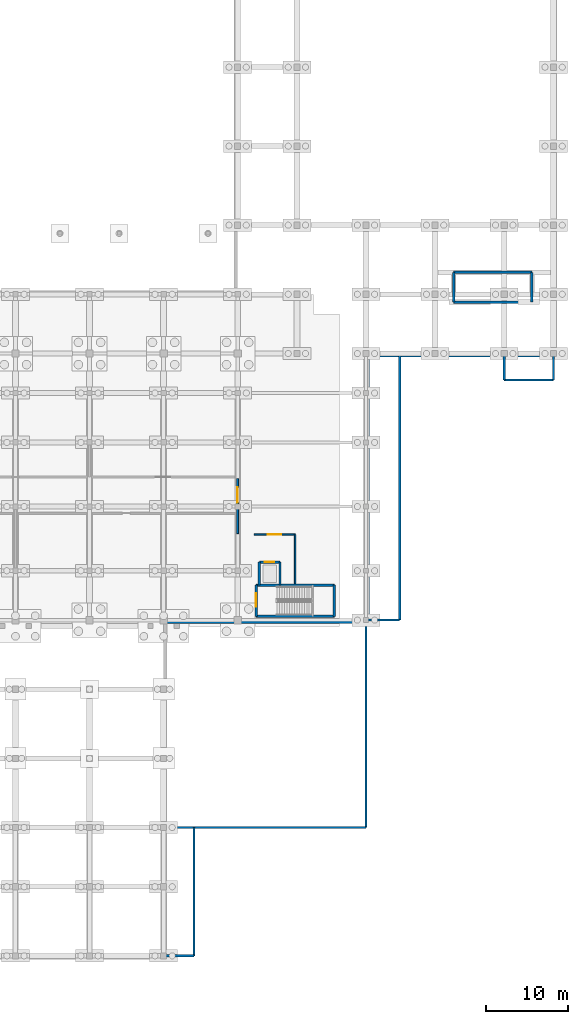
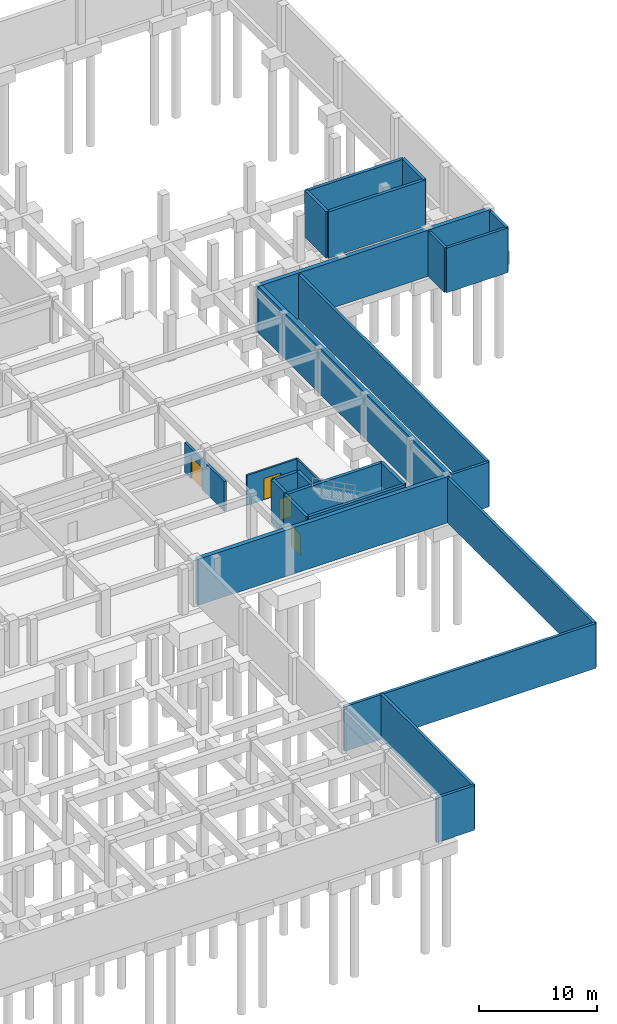
# One storey, part 20 of 26: 26 walls, 4 doors, 4 openings.
"""IFC4 building model written with IfcOpenShell, lengths in metres."""

from ifc_helpers import new_model, si_unit, direction, frame, frame_2d, origin, place, context, subcontext, project, spatial, rectangle, extrude, material, layer, layer_set, type_object, element, fill, save


model = new_model("IFC4")

# Units and contexts
model_context = context("Model", 3, precision=1e-05, world=origin(), true_north=direction((0.0, 1.0)))
body_context = subcontext(model_context, "Body", "Model", "MODEL_VIEW")
ifc_project = project(units=[si_unit("LENGTHUNIT", "METRE"), si_unit("AREAUNIT", "SQUARE_METRE"), si_unit("VOLUMEUNIT", "CUBIC_METRE"), si_unit("PLANEANGLEUNIT", "RADIAN"), si_unit("MASSUNIT", "GRAM", prefix="KILO")], contexts=[model_context])

# Site, building, storey
site_placement = place(None, origin())
site = spatial("IfcSite", under=ifc_project, at=site_placement, CompositionType="ELEMENT")
building_placement = place(site_placement, origin())
building = spatial("IfcBuilding", under=site, at=building_placement, Name="Tizgana Railside Sports Hall", CompositionType="ELEMENT")
storey_placement = place(building_placement, frame((0.0, 0.0, -4.800048828125)))
storey = spatial("IfcBuildingStorey", under=building, at=storey_placement, Name="B1", CompositionType="ELEMENT", Elevation=-4.800048828125)

# Walls
ifc_material_1 = material(Name="Concrete C35/45", Category="concrete")
ifc_layer_1 = layer(ifc_material_1, 0.419921875, Name="Concrete C35/45")
ifc_layer_set_1 = layer_set([ifc_layer_1], Name="Concrete C35/45")
wall_type_1 = type_object("IfcWallType", Name="Basement Retaining Wall 420", PredefinedType="USERDEFINED", material=ifc_layer_set_1)
wall_1_placement = place(storey_placement, frame((124.800048828125, 40.580078125, 0.0), z_axis=(0.0, 0.0, 1.0), x_axis=(1.0, 0.0, 0.0)))
element("IfcWall", 1, at=wall_1_placement, inside=storey, type_object=wall_type_1, Name="B1 Retaining Wall WAL-0003", ObjectType="RETAINING", PredefinedType="USERDEFINED", context=body_context, shape_type="SweptSolid", body=[
    extrude(rectangle(XDim=24.64501953125, YDim=0.419921875, at=frame_2d((12.322509765625, 0.0))), origin(), (0.0, 0.0, 1.0), 4.780029296875),
])
wall_2_placement = place(storey_placement, frame((149.6201171875, 40.800048828125, 0.0), z_axis=(0.0, 0.0, 1.0), x_axis=(0.0, 1.0, 0.0)))
element("IfcWall", 2, at=wall_2_placement, inside=storey, type_object=wall_type_1, Name="B1 Retaining Wall WAL-0004", ObjectType="RETAINING", PredefinedType="USERDEFINED", context=body_context, shape_type="SweptSolid", body=[
    extrude(rectangle(XDim=32.39990234375, YDim=0.419921875, at=frame_2d((16.199951171875, 0.0))), origin(), (0.0, 0.0, 1.0), 4.780029296875),
])
wall_3_placement = place(storey_placement, frame((149.39990234375, 72.97998046875, 0.0), z_axis=(0.0, 0.0, 1.0), x_axis=(1.0, 0.0, 0.0)))
element("IfcWall", 3, at=wall_3_placement, inside=storey, type_object=wall_type_1, Name="B1 Retaining Wall WAL-0005", ObjectType="RETAINING", PredefinedType="USERDEFINED", context=body_context, shape_type="SweptSolid", body=[
    extrude(rectangle(XDim=22.800048828125, YDim=0.419921875, at=frame_2d((11.39990234375, 0.0))), origin(), (0.0, 0.0, 1.0), 4.780029296875),
])
ifc_material_2 = material(Name="Concrete C40/50", Category="concrete")
ifc_layer_2 = layer(ifc_material_2, 0.300048828125, Name="Concrete C40/50")
ifc_layer_set_2 = layer_set([ifc_layer_2], Name="Concrete C40/50")
wall_type_2 = type_object("IfcWallType", Name="Core Shear Wall 300", PredefinedType="SHEAR", material=ifc_layer_set_2)
for number, where, z_axis, x_axis, name in (
    (4, (145.550048828125, 41.25, 0.0), (0.0, 0.0, 1.0), (-1.0, 0.0, 0.0), "B1 C5 Shaft Wall S"),
    (5, (136.050048828125, 45.050048828125, 0.0), (0.0, 0.0, 1.0), (1.0, 0.0, 0.0), "B1 C5 Shaft Wall N"),
):
    element("IfcWall", number, at=place(storey_placement, frame(where, z_axis=z_axis, x_axis=x_axis)), inside=storey, type_object=wall_type_2, Name=name, PredefinedType="SHEAR", context=body_context, shape_type="SweptSolid", body=[
        extrude(rectangle(XDim=9.5, YDim=0.300048828125, at=frame_2d((4.75, 0.0))), origin(), (0.0, 0.0, 1.0), 4.800048828125),
    ])

# Wall, opening, door
wall_4_placement = place(storey_placement, frame((136.050048828125, 41.25, 0.0), z_axis=(0.0, 0.0, 1.0), x_axis=(0.0, 1.0, 0.0)))
wall_4 = element("IfcWall", 6, at=wall_4_placement, inside=storey, type_object=wall_type_2, Name="B1 C5 Shaft Wall W", PredefinedType="SHEAR", context=body_context, shape_type="SweptSolid", body=[
    extrude(rectangle(XDim=3.800048828125, YDim=0.300048828125, at=frame_2d((1.89990234375, 0.0))), origin(), (0.0, 0.0, 1.0), 4.800048828125),
])
opening_1_placement = place(wall_4_placement, frame((1.14990234375, 0.0, 0.0)))
opening_1 = element("IfcOpeningElement", 7, at=opening_1_placement, cuts=wall_4, Name="Opening D-0079", PredefinedType="OPENING", context=body_context, shape_type="SweptSolid", body=[
    extrude(rectangle(XDim=1.64990234375, YDim=2.199951171875, at=frame_2d((0.824951171875, 1.10009765625))), frame((0.0, 0.159912109375, 0.0), z_axis=(0.0, -1.0, 0.0), x_axis=(1.0, 0.0, 0.0)), (0.0, 0.0, 1.0), 0.320068359375),
])
ifc_material_3 = material(Name="Timber fire leaf", Category="wood")
door_type_1 = type_object("IfcDoorType", Name="Stair Core Double Fire Door 1650x2200", OperationType="NOTDEFINED", PredefinedType="DOOR", material=ifc_material_3)
door_1_placement = place(opening_1_placement, origin())
door_1 = element("IfcDoor", 8, at=door_1_placement, inside=storey, type_object=door_type_1, Name="B1 Door D-0079", OperationType="DOUBLE_DOOR_SINGLE_SWING", OverallHeight=2.199951171875, OverallWidth=1.64990234375, PredefinedType="DOOR", context=body_context, shape_type="SweptSolid", body=[
    extrude(rectangle(XDim=1.64990234375, YDim=2.199951171875, at=frame_2d((0.824951171875, 1.10009765625))), frame((0.0, 0.02490234375, 0.0), z_axis=(0.0, -1.0, 0.0), x_axis=(1.0, 0.0, 0.0)), (0.0, 0.0, 1.0), 0.050048828125),
])
fill(opening_1, door_1)

# Wall
wall_5_placement = place(storey_placement, frame((145.550048828125, 41.25, 0.0), z_axis=(0.0, 0.0, 1.0), x_axis=(0.0, 1.0, 0.0)))
element("IfcWall", 9, at=wall_5_placement, inside=storey, type_object=wall_type_2, Name="B1 C5 Shaft Wall E", PredefinedType="SHEAR", context=body_context, shape_type="SweptSolid", body=[
    extrude(rectangle(XDim=3.800048828125, YDim=0.300048828125, at=frame_2d((1.89990234375, 0.0))), origin(), (0.0, 0.0, 1.0), 4.800048828125),
])

# Wall, opening, door
wall_6_placement = place(storey_placement, frame((136.449951171875, 47.85009765625, 0.0), z_axis=(0.0, 0.0, 1.0), x_axis=(1.0, 0.0, 0.0)))
wall_6 = element("IfcWall", 10, at=wall_6_placement, inside=storey, type_object=wall_type_2, Name="B1 LP-03 Shaft Wall N", PredefinedType="SHEAR", context=body_context, shape_type="SweptSolid", body=[
    extrude(rectangle(XDim=2.5, YDim=0.300048828125, at=frame_2d((1.25, 0.0))), origin(), (0.0, 0.0, 1.0), 4.47998046875),
])
opening_2_placement = place(wall_6_placement, frame((0.675048828125, 0.0, 0.0)))
opening_2 = element("IfcOpeningElement", 11, at=opening_2_placement, cuts=wall_6, Name="Opening D-0083", PredefinedType="OPENING", context=body_context, shape_type="SweptSolid", body=[
    extrude(rectangle(XDim=1.14990234375, YDim=2.199951171875, at=frame_2d((0.574951171875, 1.10009765625))), frame((0.0, 0.159912109375, 0.0), z_axis=(0.0, -1.0, 0.0), x_axis=(1.0, 0.0, 0.0)), (0.0, 0.0, 1.0), 0.320068359375),
])
ifc_material_4 = material(Name="Brushed stainless steel", Category="steel")
door_type_2 = type_object("IfcDoorType", Name="Passenger Lift Sliding Door 1150x2200", OperationType="NOTDEFINED", PredefinedType="DOOR", material=ifc_material_4)
door_2_placement = place(opening_2_placement, origin())
door_2 = element("IfcDoor", 12, at=door_2_placement, inside=storey, type_object=door_type_2, Name="B1 Door D-0083", OperationType="DOUBLE_DOOR_SLIDING", OverallHeight=2.199951171875, OverallWidth=1.14990234375, PredefinedType="DOOR", context=body_context, shape_type="SweptSolid", body=[
    extrude(rectangle(XDim=1.14990234375, YDim=2.199951171875, at=frame_2d((0.574951171875, 1.10009765625))), frame((0.0, 0.02490234375, 0.0), z_axis=(0.0, -1.0, 0.0), x_axis=(1.0, 0.0, 0.0)), (0.0, 0.0, 1.0), 0.050048828125),
])
fill(opening_2, door_2)

# Walls
for number, where, z_axis, x_axis, name in (
    (13, (136.449951171875, 45.050048828125, 0.0), (0.0, 0.0, 1.0), (0.0, 1.0, 0.0), "B1 LP-03 Shaft Wall W"),
    (14, (138.949951171875, 45.050048828125, 0.0), (0.0, 0.0, 1.0), (0.0, 1.0, 0.0), "B1 LP-03 Shaft Wall E"),
):
    element("IfcWall", number, at=place(storey_placement, frame(where, z_axis=z_axis, x_axis=x_axis)), inside=storey, type_object=wall_type_2, Name=name, PredefinedType="SHEAR", context=body_context, shape_type="SweptSolid", body=[
        extrude(rectangle(XDim=2.800048828125, YDim=0.300048828125, at=frame_2d((1.39990234375, 0.0))), origin(), (0.0, 0.0, 1.0), 4.47998046875),
    ])
for number, where, z_axis, x_axis, name in (
    (15, (169.550048828125, 79.449951171875, 0.0), (0.0, 0.0, 1.0), (-1.0, 0.0, 0.0), "B1 C9 Shaft Wall S"),
    (16, (160.050048828125, 83.050048828125, 0.0), (0.0, 0.0, 1.0), (1.0, 0.0, 0.0), "B1 C9 Shaft Wall N"),
):
    element("IfcWall", number, at=place(storey_placement, frame(where, z_axis=z_axis, x_axis=x_axis)), inside=storey, type_object=wall_type_2, Name=name, PredefinedType="SHEAR", context=body_context, shape_type="SweptSolid", body=[
        extrude(rectangle(XDim=9.5, YDim=0.300048828125, at=frame_2d((4.75, 0.0))), origin(), (0.0, 0.0, 1.0), 4.800048828125),
    ])
for number, where, z_axis, x_axis, name in (
    (17, (160.050048828125, 79.449951171875, 0.0), (0.0, 0.0, 1.0), (0.0, 1.0, 0.0), "B1 C9 Shaft Wall W"),
    (18, (169.550048828125, 79.449951171875, 0.0), (0.0, 0.0, 1.0), (0.0, 1.0, 0.0), "B1 C9 Shaft Wall E"),
):
    element("IfcWall", number, at=place(storey_placement, frame(where, z_axis=z_axis, x_axis=x_axis)), inside=storey, type_object=wall_type_2, Name=name, PredefinedType="SHEAR", context=body_context, shape_type="SweptSolid", body=[
        extrude(rectangle(XDim=3.60009765625, YDim=0.300048828125, at=frame_2d((1.800048828125, 0.0))), origin(), (0.0, 0.0, 1.0), 4.800048828125),
    ])

# Wall, opening, door
ifc_material_5 = material(Name="Masonry blockwork", Category="masonry")
ifc_layer_3 = layer(ifc_material_5, 0.219970703125, Name="Masonry blockwork")
ifc_layer_set_3 = layer_set([ifc_layer_3], Name="Masonry blockwork")
wall_type_3 = type_object("IfcWallType", Name="Equipment Store Fire Wall 220", PredefinedType="STANDARD", material=ifc_layer_set_3)
wall_7_placement = place(storey_placement, frame((133.800048828125, 51.300048828125, 0.0), z_axis=(0.0, 0.0, 1.0), x_axis=(0.0, 1.0, 0.0)))
wall_7 = element("IfcWall", 19, at=wall_7_placement, inside=storey, type_object=wall_type_3, Name="B1 Partition PWAL-0246", PredefinedType="STANDARD", context=body_context, shape_type="SweptSolid", body=[
    extrude(rectangle(XDim=6.699951171875, YDim=0.219970703125, at=frame_2d((3.35009765625, 0.0))), origin(), (0.0, 0.0, 1.0), 3.10009765625),
])
opening_3_placement = place(wall_7_placement, frame((3.77490234375, 0.0, 0.0)))
opening_3 = element("IfcOpeningElement", 20, at=opening_3_placement, cuts=wall_7, Name="Opening D-0239", PredefinedType="OPENING", context=body_context, shape_type="SweptSolid", body=[
    extrude(rectangle(XDim=1.85009765625, YDim=2.25, at=frame_2d((0.925048828125, 1.125))), frame((0.0, 0.119873046875, 0.0), z_axis=(0.0, -1.0, 0.0), x_axis=(1.0, 0.0, 0.0)), (0.0, 0.0, 1.0), 0.239990234375),
])
door_type_3 = type_object("IfcDoorType", Name="Corridor Cross-Fire Double Door 1850x2250", OperationType="NOTDEFINED", PredefinedType="DOOR", material=ifc_material_3)
door_3_placement = place(opening_3_placement, origin())
door_3 = element("IfcDoor", 21, at=door_3_placement, inside=storey, type_object=door_type_3, Name="B1 Door D-0239", OperationType="DOUBLE_DOOR_SINGLE_SWING", OverallHeight=2.25, OverallWidth=1.85009765625, PredefinedType="DOOR", context=body_context, shape_type="SweptSolid", body=[
    extrude(rectangle(XDim=1.85009765625, YDim=2.25, at=frame_2d((0.925048828125, 1.125))), frame((0.0, 0.02490234375, 0.0), z_axis=(0.0, -1.0, 0.0), x_axis=(1.0, 0.0, 0.0)), (0.0, 0.0, 1.0), 0.050048828125),
])
fill(opening_3, door_3)

# Walls
ifc_material_6 = material(Name="Precast concrete C40/50", Category="concrete")
ifc_layer_4 = layer(ifc_material_6, 0.27001953125, Name="Precast concrete C40/50")
ifc_layer_set_4 = layer_set([ifc_layer_4], Name="Precast concrete C40/50")
wall_type_4 = type_object("IfcWallType", Name="Exterior Studio Facade Wall 270", PredefinedType="STANDARD", material=ifc_layer_set_4)
wall_8_placement = place(storey_placement, frame((124.800048828125, 15.60009765625, 0.0), z_axis=(0.0, 0.0, 1.0), x_axis=(1.0, 0.0, 0.0)))
element("IfcWall", 22, at=wall_8_placement, inside=storey, type_object=wall_type_4, Name="B1 Apron Plinth", PredefinedType="STANDARD", context=body_context, shape_type="SweptSolid", body=[
    extrude(rectangle(XDim=24.599853515625, YDim=0.27001953125, at=frame_2d((12.2998046875, 0.0))), origin(), (0.0, 0.0, 1.0), 4.630126953125),
])
wall_9_placement = place(storey_placement, frame((149.39990234375, 15.60009765625, 0.0), z_axis=(0.0, 0.0, 1.0), x_axis=(0.0, 1.0, 0.0)))
element("IfcWall", 23, at=wall_9_placement, inside=storey, type_object=wall_type_4, Name="B1 Apron Plinth", PredefinedType="STANDARD", context=body_context, shape_type="SweptSolid", body=[
    extrude(rectangle(XDim=25.199951171875, YDim=0.27001953125, at=frame_2d((12.60009765625, 0.0))), origin(), (0.0, 0.0, 1.0), 4.630126953125),
])
wall_10_placement = place(storey_placement, frame((149.449951171875, 40.800048828125, 0.0), z_axis=(0.0, 0.0, 1.0), x_axis=(1.0, 0.0, 0.0)))
element("IfcWall", 24, at=wall_10_placement, inside=storey, type_object=wall_type_4, Name="B1 Apron Plinth", PredefinedType="STANDARD", context=body_context, shape_type="SweptSolid", body=[
    extrude(rectangle(XDim=4.050048828125, YDim=0.27001953125, at=frame_2d((2.02490234375, 0.0))), origin(), (0.0, 0.0, 1.0), 4.630126953125),
])
wall_11_placement = place(storey_placement, frame((153.5, 40.800048828125, 0.0), z_axis=(0.0, 0.0, 1.0), x_axis=(0.0, 1.0, 0.0)))
element("IfcWall", 25, at=wall_11_placement, inside=storey, type_object=wall_type_4, Name="B1 Apron Plinth", PredefinedType="STANDARD", context=body_context, shape_type="SweptSolid", body=[
    extrude(rectangle(XDim=32.39990234375, YDim=0.27001953125, at=frame_2d((16.199951171875, 0.0))), origin(), (0.0, 0.0, 1.0), 4.630126953125),
])
wall_12_placement = place(storey_placement, frame((166.199951171875, 70.0, 0.0), z_axis=(0.0, 0.0, 1.0), x_axis=(1.0, 0.0, 0.0)))
element("IfcWall", 26, at=wall_12_placement, inside=storey, type_object=wall_type_4, Name="B1 Apron Plinth", PredefinedType="STANDARD", context=body_context, shape_type="SweptSolid", body=[
    extrude(rectangle(XDim=6.0, YDim=0.27001953125, at=frame_2d((3.0, 0.0))), origin(), (0.0, 0.0, 1.0), 4.630126953125),
])
for number, where, z_axis, x_axis, name in (
    (27, (172.199951171875, 70.0, 0.0), (0.0, 0.0, 1.0), (0.0, 1.0, 0.0), "B1 Apron Plinth"),
    (28, (166.199951171875, 73.179931640625, 0.0), (0.0, 0.0, 1.0), (0.0, -1.0, 0.0), "B1 Apron Plinth"),
):
    element("IfcWall", number, at=place(storey_placement, frame(where, z_axis=z_axis, x_axis=x_axis)), inside=storey, type_object=wall_type_4, Name=name, PredefinedType="STANDARD", context=body_context, shape_type="SweptSolid", body=[
        extrude(rectangle(XDim=3.179931640625, YDim=0.27001953125, at=frame_2d((1.58984375, 0.0))), origin(), (0.0, 0.0, 1.0), 4.630126953125),
    ])
wall_13_placement = place(storey_placement, frame((124.800048828125, 0.0, 0.0), z_axis=(0.0, 0.0, 1.0), x_axis=(1.0, 0.0, 0.0)))
element("IfcWall", 29, at=wall_13_placement, inside=storey, type_object=wall_type_4, Name="B1 Apron Plinth", PredefinedType="STANDARD", context=body_context, shape_type="SweptSolid", body=[
    extrude(rectangle(XDim=3.699951171875, YDim=0.27001953125, at=frame_2d((1.85009765625, 0.0))), origin(), (0.0, 0.0, 1.0), 4.630126953125),
])
wall_14_placement = place(storey_placement, frame((128.5, 0.0, 0.0), z_axis=(0.0, 0.0, 1.0), x_axis=(0.0, 1.0, 0.0)))
element("IfcWall", 30, at=wall_14_placement, inside=storey, type_object=wall_type_4, Name="B1 Apron Plinth", PredefinedType="STANDARD", context=body_context, shape_type="SweptSolid", body=[
    extrude(rectangle(XDim=15.60009765625, YDim=0.27001953125, at=frame_2d((7.800048828125, 0.0))), origin(), (0.0, 0.0, 1.0), 4.630126953125),
])

# Wall, opening, door
ifc_layer_5 = layer(ifc_material_5, 0.179931640625, Name="Masonry blockwork")
ifc_layer_set_5 = layer_set([ifc_layer_5], Name="Masonry blockwork")
wall_type_5 = type_object("IfcWallType", Name="Riser and Shaft Wall 180", PredefinedType="STANDARD", material=ifc_layer_set_5)
wall_15_placement = place(storey_placement, frame((135.800048828125, 51.199951171875, 0.0), z_axis=(0.0, 0.0, 1.0), x_axis=(1.0, 0.0, 0.0)))
wall_15 = element("IfcWall", 31, at=wall_15_placement, inside=storey, type_object=wall_type_5, Name="B1 Partition PWAL-0342", PredefinedType="STANDARD", context=body_context, shape_type="SweptSolid", body=[
    extrude(rectangle(XDim=5.0, YDim=0.179931640625, at=frame_2d((2.5, 0.0))), origin(), (0.0, 0.0, 1.0), 3.10009765625),
])
opening_4_placement = place(wall_15_placement, frame((1.675048828125, 0.0, 0.0)))
opening_4 = element("IfcOpeningElement", 32, at=opening_4_placement, cuts=wall_15, Name="Opening D-0307", PredefinedType="OPENING", context=body_context, shape_type="SweptSolid", body=[
    extrude(rectangle(XDim=1.64990234375, YDim=2.199951171875, at=frame_2d((0.824951171875, 1.10009765625))), frame((0.0, 0.099853515625, 0.0), z_axis=(0.0, -1.0, 0.0), x_axis=(1.0, 0.0, 0.0)), (0.0, 0.0, 1.0), 0.199951171875),
])
door_4_placement = place(opening_4_placement, origin())
door_4 = element("IfcDoor", 33, at=door_4_placement, inside=storey, type_object=door_type_1, Name="B1 Door D-0307", OperationType="DOUBLE_DOOR_SINGLE_SWING", OverallHeight=2.199951171875, OverallWidth=1.64990234375, PredefinedType="DOOR", context=body_context, shape_type="SweptSolid", body=[
    extrude(rectangle(XDim=1.64990234375, YDim=2.199951171875, at=frame_2d((0.824951171875, 1.10009765625))), frame((0.0, 0.02490234375, 0.0), z_axis=(0.0, -1.0, 0.0), x_axis=(1.0, 0.0, 0.0)), (0.0, 0.0, 1.0), 0.050048828125),
])
fill(opening_4, door_4)

# Wall
wall_16_placement = place(storey_placement, frame((140.800048828125, 45.205078125, 0.0), z_axis=(0.0, 0.0, 1.0), x_axis=(0.0, 1.0, 0.0)))
element("IfcWall", 34, at=wall_16_placement, inside=storey, type_object=wall_type_5, Name="B1 Partition PWAL-0343", PredefinedType="STANDARD", context=body_context, shape_type="SweptSolid", body=[
    extrude(rectangle(XDim=5.994873046875, YDim=0.179931640625, at=frame_2d((2.99755859375, 0.0))), origin(), (0.0, 0.0, 1.0), 3.10009765625),
])

save(model, "model.ifc")
